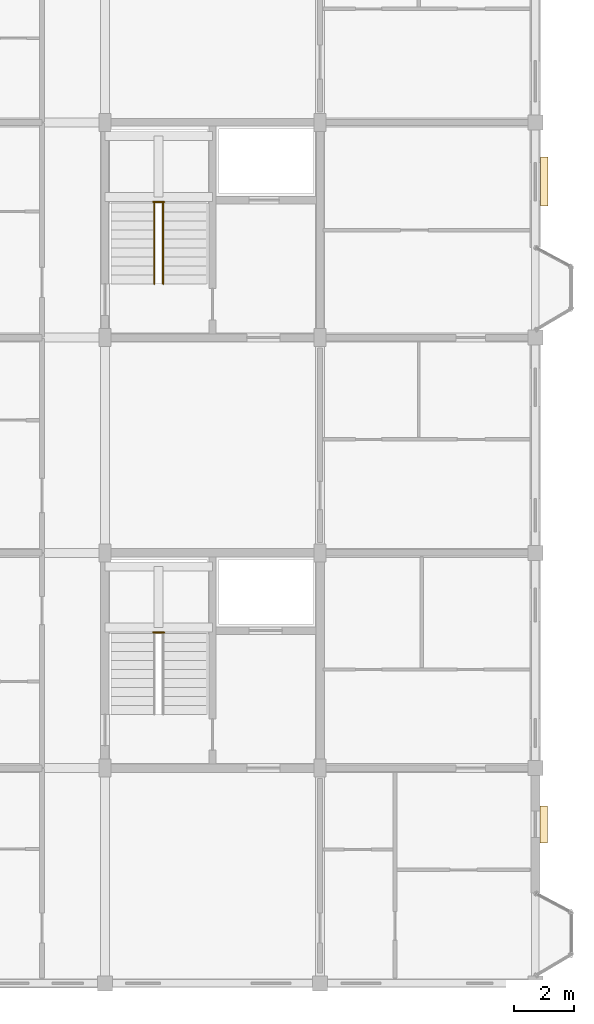
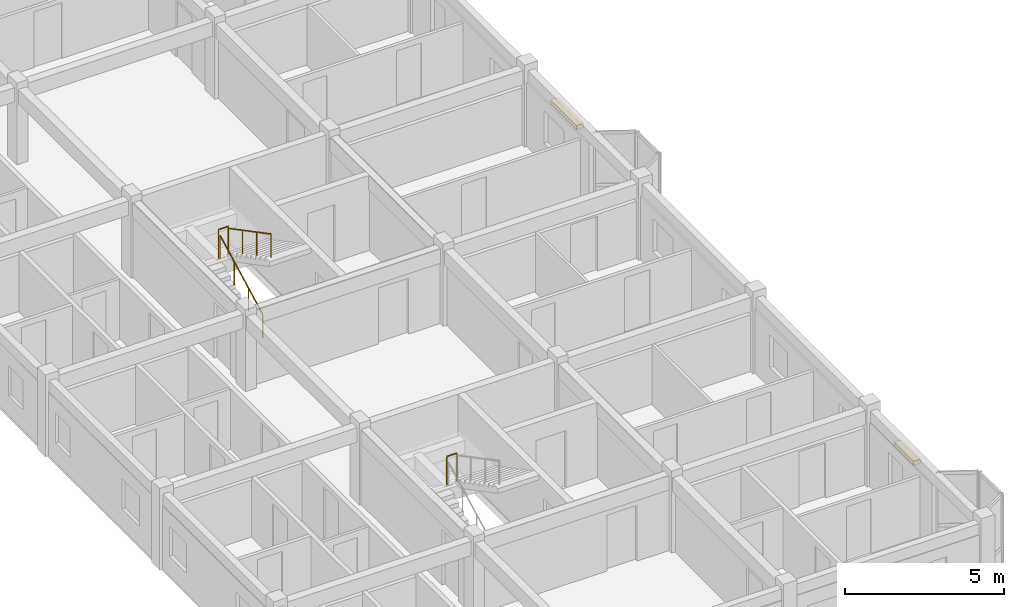
# One storey, part 64 of 65: 4 railings, 2 coverings.
"""IFC4 building model written with IfcOpenShell, lengths in metres."""

from ifc_helpers import new_model, si_unit, direction, frame, origin, origin_2d, place, context, subcontext, project, spatial, rectangle, circle, extrude, material, layer, layer_set, type_object, element, save


model = new_model("IFC4")

# Units and contexts
model_context = context("Model", 3, precision=1e-05, world=origin(), true_north=direction((0.0, 1.0)))
body_context = subcontext(model_context, "Body", "Model", "MODEL_VIEW")
ifc_project = project(units=[si_unit("LENGTHUNIT", "METRE"), si_unit("AREAUNIT", "SQUARE_METRE"), si_unit("VOLUMEUNIT", "CUBIC_METRE"), si_unit("PLANEANGLEUNIT", "RADIAN"), si_unit("MASSUNIT", "GRAM", prefix="KILO"), si_unit("THERMODYNAMICTEMPERATUREUNIT", "KELVIN"), si_unit("POWERUNIT", "WATT")], contexts=[model_context])

# Site, building, storey
site_placement = place(None, origin())
site = spatial("IfcSite", under=ifc_project, at=site_placement, CompositionType="ELEMENT")
building_placement = place(site_placement, origin())
building = spatial("IfcBuilding", under=site, at=building_placement, Name="Tavuni Mirador Residences", CompositionType="ELEMENT")
storey_placement = place(building_placement, frame((0.0, 0.0, 29.699951171875)))
storey = spatial("IfcBuildingStorey", under=building, at=storey_placement, Name="L09", CompositionType="ELEMENT", Elevation=29.699951171875)

# Coverings
ifc_material_1 = material(Name="Natural coral limestone", Category="masonry")
ifc_layer = layer(ifc_material_1, 0.054931640625, Name="Natural coral limestone", Category="masonry")
ifc_layer_set = layer_set([ifc_layer], Name="Natural coral limestone")
covering_type = type_object("IfcCoveringType", Name="CVT-CLAD-CORAL", PredefinedType="CLADDING", material=ifc_layer_set)
covering_1_placement = place(storey_placement, frame((119.07958984375, 91.719970703125, 2.06005859375), z_axis=(0.0, 0.0, 1.0), x_axis=(0.0, 1.0, 0.0)))
element("IfcCovering", 1, at=covering_1_placement, inside=storey, type_object=covering_type, Name="HOOD-1071", PredefinedType="CLADDING", context=body_context, shape_type="SweptSolid", body=[
    extrude(rectangle(XDim=1.239990234375, YDim=0.260009765625, at=origin_2d()), origin(), (0.0, 0.0, 1.0), 0.159912109375),
])
covering_2_placement = place(storey_placement, frame((119.099609375, 113.219970703125, 2.06005859375), z_axis=(0.0, 0.0, 1.0), x_axis=(0.0, 1.0, 0.0)))
element("IfcCovering", 2, at=covering_2_placement, inside=storey, type_object=covering_type, Name="HOOD-1072", PredefinedType="CLADDING", context=body_context, shape_type="SweptSolid", body=[
    extrude(rectangle(XDim=1.639892578125, YDim=0.260009765625, at=origin_2d()), origin(), (0.0, 0.0, 1.0), 0.159912109375),
])

# Railings
ifc_material_2 = material(Name="Structural steel S355", Category="steel")
railing_type_1 = type_object("IfcRailingType", Name="RT-GR1120", PredefinedType="GUARDRAIL", material=ifc_material_2)
for number, where, name in (
    (3, (106.02001953125, 98.139892578125, 1.574951171875), "GRD-HL-ST7-L09"),
    (4, (106.02001953125, 112.5400390625, 1.574951171875), "GRD-HL-ST8-L09"),
):
    element("IfcRailing", number, at=place(storey_placement, frame(where)), inside=storey, type_object=railing_type_1, Name=name, PredefinedType="GUARDRAIL", context=body_context, shape_type="SweptSolid", body=[
        extrude(circle(Radius=0.02392578125, at=origin_2d()), frame((0.0, 0.0, 1.09619140625), z_axis=(1.0, 0.0, 0.0), x_axis=(0.0, 1.0, 0.0)), (0.0, 0.0, 1.0), 0.35986328125),
        extrude(circle(Radius=0.02099609375, at=origin_2d()), origin(), (0.0, 0.0, 1.0), 1.072021484375),
        extrude(circle(Radius=0.02099609375, at=origin_2d()), frame((0.35986328125, 0.0, 0.0)), (0.0, 0.0, 1.0), 1.072021484375),
    ])
railing_type_2 = type_object("IfcRailingType", Name="RT-HR920", PredefinedType="HANDRAIL", material=ifc_material_2)
railing_1_placement = place(storey_placement, frame((106.050048828125, 109.800048828125, 0.157470703125)))
element("IfcRailing", 5, at=railing_1_placement, inside=storey, type_object=railing_type_2, Name="HR-ST8-L09-F1", PredefinedType="HANDRAIL", context=body_context, shape_type="SweptSolid", body=[
    extrude(circle(Radius=0.02392578125, at=origin_2d()), frame((0.0, 0.0, 0.89599609375), z_axis=(0.0, 0.885397079081, 0.464835468048), x_axis=(-1.0, 0.0, 0.0)), (0.0, 0.0, 1.0), 3.04931640625),
    extrude(circle(Radius=0.02099609375, at=origin_2d()), origin(), (0.0, 0.0, 1.0), 0.871826171875),
    extrude(circle(Radius=0.02099609375, at=origin_2d()), frame((0.0, 0.89990234375, 0.472412109375)), (0.0, 0.0, 1.0), 0.871826171875),
    extrude(circle(Radius=0.02099609375, at=origin_2d()), frame((0.0, 1.800048828125, 0.945068359375)), (0.0, 0.0, 1.0), 0.871826171875),
    extrude(circle(Radius=0.02099609375, at=origin_2d()), frame((0.0, 2.699951171875, 1.41748046875)), (0.0, 0.0, 1.0), 0.871826171875),
])
railing_2_placement = place(storey_placement, frame((106.35009765625, 112.5, 1.732666015625)))
element("IfcRailing", 6, at=railing_2_placement, inside=storey, type_object=railing_type_2, Name="HR-ST8-L09-F2", PredefinedType="HANDRAIL", context=body_context, shape_type="SweptSolid", body=[
    extrude(circle(Radius=0.02392578125, at=origin_2d()), frame((0.0, 0.0, 0.89599609375), z_axis=(0.0, -0.885397079081, 0.464835468048), x_axis=(1.0, 0.0, 0.0)), (0.0, 0.0, 1.0), 3.04931640625),
    extrude(circle(Radius=0.02099609375, at=origin_2d()), origin(), (0.0, 0.0, 1.0), 0.871826171875),
    extrude(circle(Radius=0.02099609375, at=origin_2d()), frame((0.0, -0.89990234375, 0.472412109375)), (0.0, 0.0, 1.0), 0.871826171875),
    extrude(circle(Radius=0.02099609375, at=origin_2d()), frame((0.0, -1.800048828125, 0.945068359375)), (0.0, 0.0, 1.0), 0.871826171875),
    extrude(circle(Radius=0.02099609375, at=origin_2d()), frame((0.0, -2.699951171875, 1.41748046875)), (0.0, 0.0, 1.0), 0.871826171875),
])

save(model, "model.ifc")
